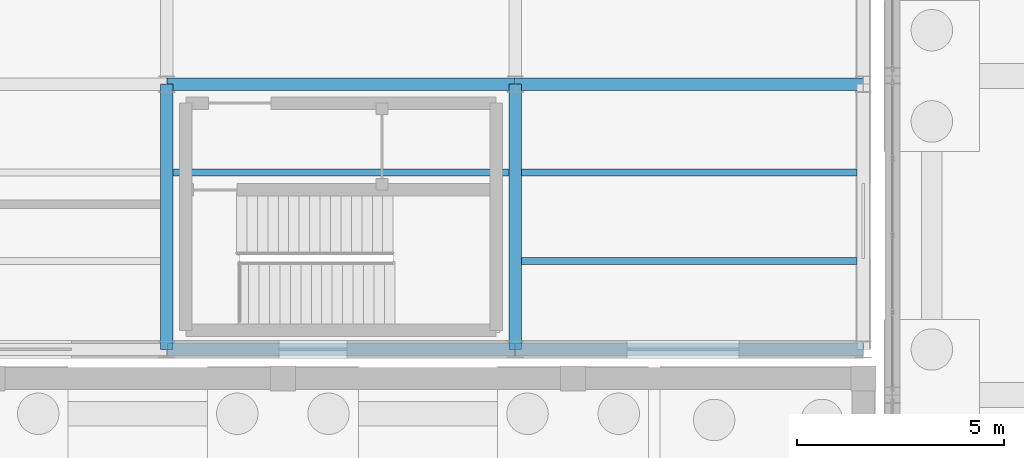
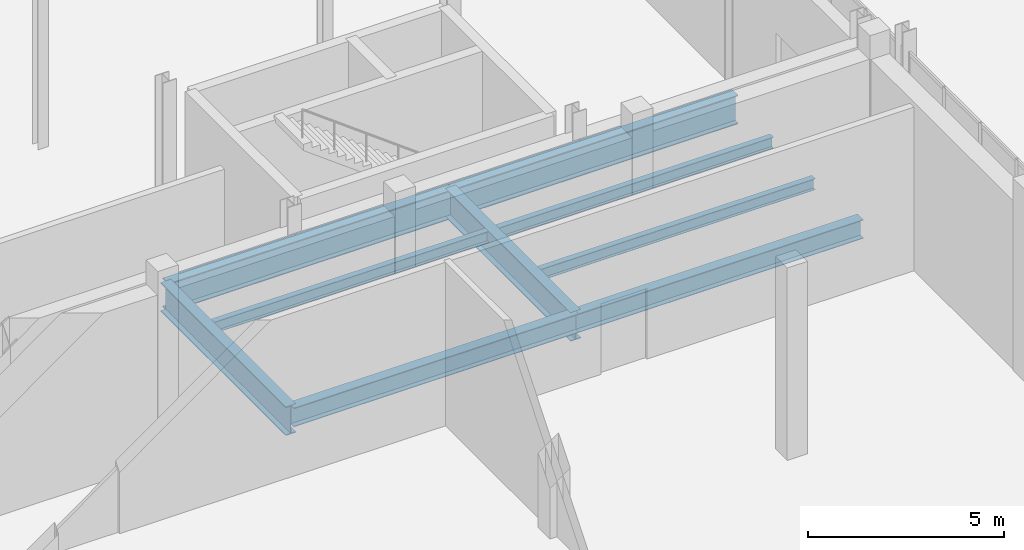
# One storey, part 74 of 139: 9 beams.
"""IFC4 building model written with IfcOpenShell, lengths in metres."""

import ifcopenshell
import ifcopenshell.guid

model = None  # the IFC model being written
_history = None  # IfcOwnerHistory: only IFC2X3 demands one
_inside = {}  # id of a spatial element -> (the spatial element, [elements in it])
_under = {}  # id of a project, library or spatial element -> (it, [spatial elements below it])
_declared = {}  # id of a project -> (the project, [libraries it declares])
_typed = {}  # id of a type object -> (the type object, [elements of that type])
_made_of = {}  # id of a material, layer set ... -> (it, [elements and type objects made of it])


def new_model(schema):
    """Start an empty IFC model of exactly this schema.

    Asked for "IFC4X3", IfcOpenShell would pick the latest addendum, in which some entities
    have other attributes; the version numbers below select the first issue.
    IFC2X3 requires an IfcOwnerHistory on every rooted entity: one is made here for all.
    """
    global model, _history
    if schema == "IFC4X3":
        model = ifcopenshell.file(schema_version=(4, 3, 0, 0))
    else:
        model = ifcopenshell.file(schema=schema)
    _inside.clear()
    _under.clear()
    _declared.clear()
    _typed.clear()
    _made_of.clear()
    _history = None
    if model.schema == "IFC2X3":
        org = make("IfcOrganization", Name="unknown")
        user = make(
            "IfcPersonAndOrganization",
            ThePerson=make("IfcPerson", FamilyName="unknown"),
            TheOrganization=org,
        )
        app = make(
            "IfcApplication",
            ApplicationDeveloper=org,
            Version="unknown",
            ApplicationFullName="unknown",
            ApplicationIdentifier="unknown",
        )
        _history = make(
            "IfcOwnerHistory",
            OwningUser=user,
            OwningApplication=app,
            ChangeAction="ADDED",
            CreationDate=0,
        )
    return model


def make(cls, **values):
    """One entity of the class cls with the attributes given. An attribute that is None is left unset."""
    return model.create_entity(
        cls, **{name: value for name, value in values.items() if value is not None}
    )


def rooted(cls, **values):
    """An entity with a GlobalId (a new one), such as an element, a storey or a relation."""
    return make(cls, GlobalId=ifcopenshell.guid.new(), OwnerHistory=_history, **values)


def si_unit(unit_type, name, prefix=None):
    """IfcSIUnit, for example si_unit("LENGTHUNIT", "METRE", prefix="MILLI")."""
    return make("IfcSIUnit", UnitType=unit_type, Prefix=prefix, Name=name)


def assignment(units):
    """IfcUnitAssignment: the units of a project."""
    return None if units is None else make("IfcUnitAssignment", Units=units)


def point(xyz):
    """IfcCartesianPoint."""
    return None if xyz is None else make("IfcCartesianPoint", Coordinates=xyz)


def direction(xyz):
    """IfcDirection."""
    return None if xyz is None else make("IfcDirection", DirectionRatios=xyz)


def frame(location, z_axis=None, x_axis=None):
    """IfcAxis2Placement3D, a coordinate frame: its origin and axes. An axis left out is left unset."""
    return make(
        "IfcAxis2Placement3D",
        Location=point(location),
        Axis=direction(z_axis),
        RefDirection=direction(x_axis),
    )


def frame_2d(location, x_axis=None):
    """IfcAxis2Placement2D, a coordinate frame in the plane: its origin and x axis."""
    return make(
        "IfcAxis2Placement2D", Location=point(location), RefDirection=direction(x_axis)
    )


def origin():
    """The frame at (0, 0, 0) with its axes left unset."""
    return frame((0.0, 0.0, 0.0))


def origin_2d():
    """The frame at (0, 0) in the plane with its x axis left unset."""
    return frame_2d((0.0, 0.0))


def place(relative_to, where):
    """IfcLocalPlacement: puts the frame where relative to a parent placement (None: the world)."""
    return make(
        "IfcLocalPlacement", PlacementRelTo=relative_to, RelativePlacement=where
    )


def context(
    kind, dimensions, precision=None, world=None, true_north=None, identifier=None
):
    """IfcGeometricRepresentationContext, for example the 3D "Model" context."""
    return make(
        "IfcGeometricRepresentationContext",
        ContextIdentifier=identifier,
        ContextType=kind,
        CoordinateSpaceDimension=dimensions,
        Precision=precision,
        WorldCoordinateSystem=world,
        TrueNorth=true_north,
    )


def subcontext(parent, identifier, kind, view, scale=None):
    """IfcGeometricRepresentationSubContext, for example "Body" below "Model"."""
    return make(
        "IfcGeometricRepresentationSubContext",
        ContextIdentifier=identifier,
        ContextType=kind,
        ParentContext=parent,
        TargetScale=scale,
        TargetView=view,
    )


def project(units=None, contexts=None):
    """IfcProject with its units and contexts."""
    return rooted(
        "IfcProject",
        Name="project",
        RepresentationContexts=contexts,
        UnitsInContext=assignment(units),
    )


def spatial(cls, under=None, at=None, **own):
    """A site, building, storey or space (cls), placed at a placement, below another one or the project."""
    s = rooted(cls, ObjectPlacement=at, **own)
    if under is not None:
        _under.setdefault(under.id(), (under, []))[1].append(s)
    return s


def profile(cls, at=None, kind="AREA", **sizes):
    """A parametric profile (cls). Its sizes go by their IFC names, for example OverallWidth=200.0."""
    return make(cls, ProfileType=kind, Position=at, **sizes)


def i_section(**sizes):
    """IfcIShapeProfileDef."""
    return profile("IfcIShapeProfileDef", **sizes)


def extrude(swept, where, along, depth):
    """IfcExtrudedAreaSolid: the profile swept, set in the frame where, extruded along a direction by depth."""
    return make(
        "IfcExtrudedAreaSolid",
        SweptArea=swept,
        Position=where,
        ExtrudedDirection=direction(along),
        Depth=depth,
    )


def shape(context_of_items, identifier, shape_type, items):
    """IfcShapeRepresentation: the items that make up one representation, for example the "Body"."""
    return make(
        "IfcShapeRepresentation",
        ContextOfItems=context_of_items,
        RepresentationIdentifier=identifier,
        RepresentationType=shape_type,
        Items=items,
    )


def material(Name=None, Category=None):
    """IfcMaterial."""
    return make("IfcMaterial", Name=Name, Category=Category)


def material_profile(
    of_material, cross_section, Name=None, Category=None, Priority=None
):
    """IfcMaterialProfile: a cross section and its material."""
    return make(
        "IfcMaterialProfile",
        Name=Name,
        Material=of_material,
        Profile=cross_section,
        Priority=Priority,
        Category=Category,
    )


def profile_set(profiles, Name=None, composite=None):
    """IfcMaterialProfileSet."""
    return make(
        "IfcMaterialProfileSet",
        Name=Name,
        MaterialProfiles=profiles,
        CompositeProfile=composite,
    )


def made_of(thing, what):
    """Note that an element or type object is made of a material, layer set ...; save() writes the relation."""
    if what is not None:
        _made_of.setdefault(what.id(), (what, []))[1].append(thing)
    return thing


def type_object(cls, material=None, **own):
    """A type object (cls), such as IfcWallType, which elements share."""
    return made_of(rooted(cls, **own), material)


def element(
    cls,
    number,
    at=None,
    inside=None,
    cuts=None,
    type_object=None,
    material=None,
    context=None,
    identifier="Body",
    shape_type=None,
    held_by="IfcProductDefinitionShape",
    body=None,
    shapes=None,
    **own,
):
    """One element of the class cls, such as IfcWall. Its Tag is "e" and its number.

    at: its placement. inside: the storey or other place that contains it. cuts: it is an
    opening in that element (IfcRelVoidsElement). A single representation is given by context,
    identifier, shape_type and body (its items); several are given by shapes. held_by: the class
    of the entity that holds the representations. save() writes the other relations.
    """
    e = rooted(cls, Tag="e%d" % number, ObjectPlacement=at, **own)
    if body is not None:
        shapes = [shape(context, identifier, shape_type, body)]
    if shapes is not None:
        e.Representation = make(held_by, Representations=shapes)
    if inside is not None:
        _inside.setdefault(inside.id(), (inside, []))[1].append(e)
    if cuts is not None:
        rooted(
            "IfcRelVoidsElement", RelatingBuildingElement=cuts, RelatedOpeningElement=e
        )
    if type_object is not None:
        _typed.setdefault(type_object.id(), (type_object, []))[1].append(e)
    return made_of(e, material)


def aggregate(whole, parts):
    """IfcRelAggregates: a whole, such as a stair, and the parts it consists of."""
    return rooted("IfcRelAggregates", RelatingObject=whole, RelatedObjects=parts)


def save(model, path):
    """Write the relations noted so far, then the file.

    IfcRelAggregates (storeys below a building ...), IfcRelContainedInSpatialStructure (elements
    in a storey), IfcRelDefinesByType, IfcRelAssociatesMaterial and IfcRelDeclares: one each for
    every whole, place, type object, material and project.
    """
    for whole, parts in _under.values():
        aggregate(whole, parts)
    for where, things in _inside.values():
        rooted(
            "IfcRelContainedInSpatialStructure",
            RelatedElements=things,
            RelatingStructure=where,
        )
    for kind, things in _typed.values():
        rooted("IfcRelDefinesByType", RelatedObjects=things, RelatingType=kind)
    for what, things in _made_of.values():
        rooted("IfcRelAssociatesMaterial", RelatedObjects=things, RelatingMaterial=what)
    for by, libraries in _declared.values():
        rooted("IfcRelDeclares", RelatingContext=by, RelatedDefinitions=libraries)
    model.write(path)


model = new_model("IFC4")

# Units and contexts
model_context = context("Model", 3, precision=1e-05, world=origin(), true_north=direction((0.0, 1.0)))
body_context = subcontext(model_context, "Body", "Model", "MODEL_VIEW")
ifc_project = project(units=[si_unit("LENGTHUNIT", "METRE"), si_unit("AREAUNIT", "SQUARE_METRE"), si_unit("VOLUMEUNIT", "CUBIC_METRE"), si_unit("PLANEANGLEUNIT", "RADIAN"), si_unit("MASSUNIT", "GRAM", prefix="KILO")], contexts=[model_context])

# Site, building, storey
site_placement = place(None, origin())
site = spatial("IfcSite", under=ifc_project, at=site_placement, CompositionType="ELEMENT")
building_placement = place(site_placement, origin())
building = spatial("IfcBuilding", under=site, at=building_placement, Name="Kazenagashi Tramway Depot", CompositionType="ELEMENT")
storey_placement = place(building_placement, origin())
storey = spatial("IfcBuildingStorey", under=building, at=storey_placement, Name="L01", CompositionType="ELEMENT", Elevation=0.0)

# Beams
ifc_material_1 = material(Name="Steel SN490B", Category="steel")
ifc_material_profile_1 = material_profile(ifc_material_1, i_section(OverallWidth=0.3, OverallDepth=0.9, WebThickness=0.016, FlangeThickness=0.028, at=origin_2d()), Name="H-900x300x16x28")
ifc_profile_set_1 = profile_set([ifc_material_profile_1], Name="Steel SN490B")
beam_type_1 = type_object("IfcBeamType", Name="G-01", PredefinedType="BEAM", material=ifc_profile_set_1)
for number, where, z_axis, x_axis, name in (
    (1, (128.8, 22.9, -0.8), (1.0, 0.0, 0.0), (0.0, 1.0, 0.0), "Beam G-01 BM-0763"),
    (2, (137.2, 22.9, -0.8), (1.0, 0.0, 0.0), (0.0, 1.0, 0.0), "Beam G-01 BM-0764"),
):
    element("IfcBeam", number, at=place(storey_placement, frame(where, z_axis=z_axis, x_axis=x_axis)), inside=storey, type_object=beam_type_1, Name=name, PredefinedType="BEAM", context=body_context, shape_type="SweptSolid", body=[
        extrude(i_section(OverallWidth=0.3, OverallDepth=0.9, WebThickness=0.016, FlangeThickness=0.028, at=origin_2d()), origin(), (0.0, 0.0, 1.0), 8.4),
    ])
for number, where, z_axis, x_axis, name in (
    (3, (128.8, 16.5, -0.8), (0.0, 1.0, 0.0), (-1.0, 0.0, 0.0), "Beam G-01 BM-0919"),
    (4, (137.2, 16.5, -0.8), (0.0, 1.0, 0.0), (-1.0, 0.0, 0.0), "Beam G-01 BM-0930"),
):
    element("IfcBeam", number, at=place(storey_placement, frame(where, z_axis=z_axis, x_axis=x_axis)), inside=storey, type_object=beam_type_1, Name=name, PredefinedType="BEAM", context=body_context, shape_type="SweptSolid", body=[
        extrude(i_section(OverallWidth=0.3, OverallDepth=0.9, WebThickness=0.016, FlangeThickness=0.028, at=origin_2d()), origin(), (0.0, 0.0, 1.0), 6.4),
    ])
ifc_material_2 = material(Name="Steel SN400B", Category="steel")
ifc_material_profile_2 = material_profile(ifc_material_2, i_section(OverallWidth=0.175, OverallDepth=0.35, WebThickness=0.007, FlangeThickness=0.011, at=origin_2d()), Name="H-350x175x7x11")
ifc_profile_set_2 = profile_set([ifc_material_profile_2], Name="Steel SN400B")
beam_type_2 = type_object("IfcBeamType", Name="J-01", PredefinedType="JOIST", material=ifc_profile_set_2)
for number, where, z_axis, x_axis, name in (
    (5, (128.95, 20.767, -0.525), (1.0, 0.0, 0.0), (0.0, 1.0, 0.0), "Beam J-01 BM-0920"),
    (6, (137.35, 18.633, -0.525), (1.0, 0.0, 0.0), (0.0, 1.0, 0.0), "Beam J-01 BM-0931"),
    (7, (137.35, 20.767, -0.525), (1.0, 0.0, 0.0), (0.0, 1.0, 0.0), "Beam J-01 BM-0932"),
):
    element("IfcBeam", number, at=place(storey_placement, frame(where, z_axis=z_axis, x_axis=x_axis)), inside=storey, type_object=beam_type_2, Name=name, PredefinedType="JOIST", context=body_context, shape_type="SweptSolid", body=[
        extrude(i_section(OverallWidth=0.175, OverallDepth=0.35, WebThickness=0.007, FlangeThickness=0.011, at=origin_2d()), origin(), (0.0, 0.0, 1.0), 8.1),
    ])
ifc_material_profile_3 = material_profile(ifc_material_1, i_section(OverallWidth=0.3, OverallDepth=0.588, WebThickness=0.012, FlangeThickness=0.02, at=origin_2d()), Name="H-588x300x12x20")
ifc_profile_set_3 = profile_set([ifc_material_profile_3], Name="Steel SN490B")
beam_type_3 = type_object("IfcBeamType", Name="SP-01", PredefinedType="SPANDREL", material=ifc_profile_set_3)
for number, where, z_axis, x_axis, name in (
    (8, (128.8, 16.5, -0.644), (1.0, 0.0, 0.0), (0.0, 1.0, 0.0), "Beam SP-01 BM-0751"),
    (9, (137.2, 16.5, -0.644), (1.0, 0.0, 0.0), (0.0, 1.0, 0.0), "Beam SP-01 BM-0752"),
):
    element("IfcBeam", number, at=place(storey_placement, frame(where, z_axis=z_axis, x_axis=x_axis)), inside=storey, type_object=beam_type_3, Name=name, PredefinedType="SPANDREL", context=body_context, shape_type="SweptSolid", body=[
        extrude(i_section(OverallWidth=0.3, OverallDepth=0.588, WebThickness=0.012, FlangeThickness=0.02, at=origin_2d()), origin(), (0.0, 0.0, 1.0), 8.4),
    ])

save(model, "model.ifc")
